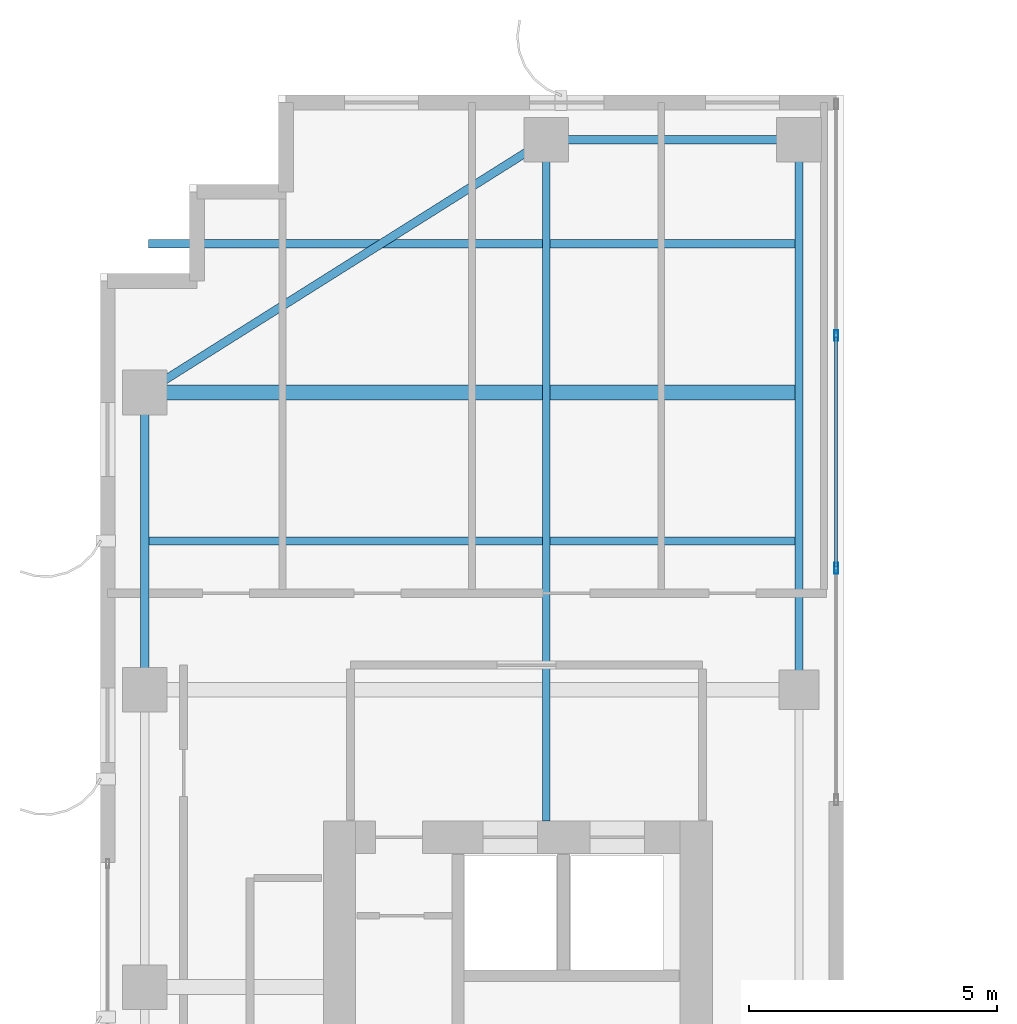
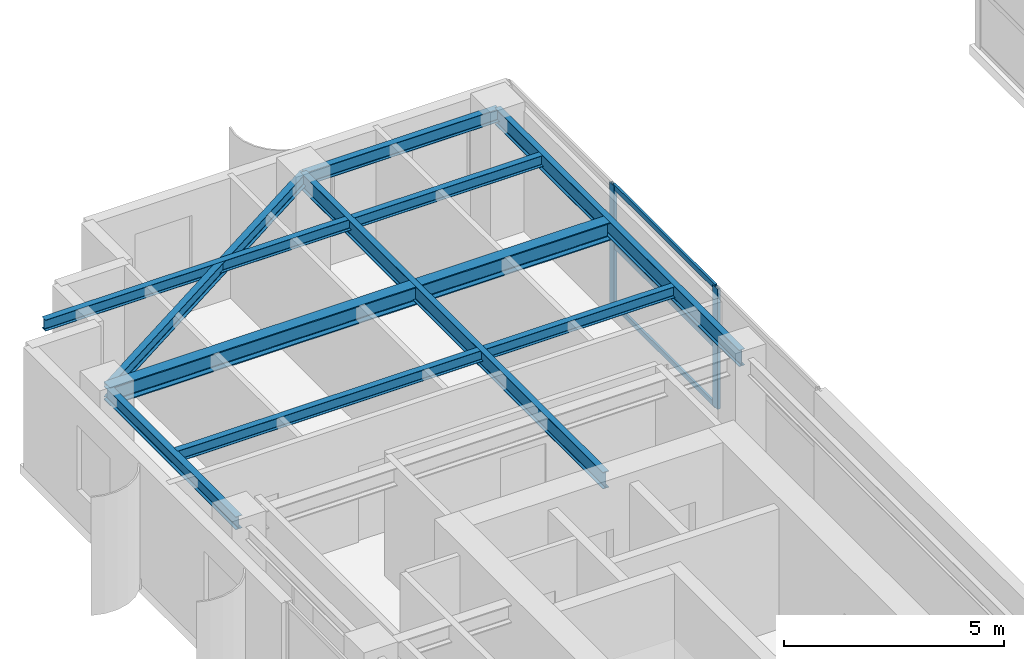
# One storey, part 13 of 22: 8 beams, 5 members, 1 element without a shape of its own.
"""IFC4 building model written with IfcOpenShell, lengths in metres."""

from ifc_helpers import new_model, si_unit, direction, frame, origin, origin_2d, place, context, subcontext, project, spatial, hollow_rectangle, i_section, extrude, source, transform, mapped, material, layer, layer_set, material_profile, profile_set, type_object, element, aggregate, save


model = new_model("IFC4")

# Units and contexts
model_context = context("Model", 3, precision=1e-05, world=origin(), true_north=direction((0.0, 1.0)))
body_context = subcontext(model_context, "Body", "Model", "MODEL_VIEW")
ifc_project = project(units=[si_unit("LENGTHUNIT", "METRE"), si_unit("AREAUNIT", "SQUARE_METRE"), si_unit("VOLUMEUNIT", "CUBIC_METRE"), si_unit("PLANEANGLEUNIT", "RADIAN"), si_unit("MASSUNIT", "GRAM", prefix="KILO")], contexts=[model_context])

# Site, building, storey
site_placement = place(None, origin())
site = spatial("IfcSite", under=ifc_project, at=site_placement, CompositionType="ELEMENT")
building_placement = place(site_placement, origin())
building = spatial("IfcBuilding", under=site, at=building_placement, Name="Khoralis Quay Care Tower", CompositionType="ELEMENT")
storey_placement = place(building_placement, frame((0.0, 0.0, 202.5)))
storey = spatial("IfcBuildingStorey", under=building, at=storey_placement, Name="L53", CompositionType="ELEMENT", Elevation=202.5)

# Beams
ifc_material_1 = material(Name="Steel S355", Category="steel")
ifc_material_profile_1 = material_profile(ifc_material_1, i_section(OverallWidth=0.169921875, OverallDepth=0.360107421875, WebThickness=0.008056640625, FlangeThickness=0.0126953125, FilletRadius=0.01806640625, at=origin_2d()), Name="Steel S355")
ifc_profile_set_1 = profile_set([ifc_material_profile_1], Name="Steel S355")
beam_type_1 = type_object("IfcBeamType", Name="BM-IPE360", PredefinedType="SPANDREL", material=ifc_profile_set_1)
shared_shape_1 = source(origin(), body_context, "Body", "SweptSolid", [
    extrude(i_section(OverallWidth=0.169921875, OverallDepth=0.360107421875, WebThickness=0.008056640625, FlangeThickness=0.0126953125, FilletRadius=0.01806640625, at=origin_2d()), origin(), (0.0, 0.0, 1.0), 5.10009765625),
])
beam_1_placement = place(storey_placement, frame((12.0, 41.10009765625, 3.159912109375), z_axis=(1.0, 0.0, 0.0), x_axis=(0.0, 1.0, 0.0)))
element("IfcBeam", 1, at=beam_1_placement, inside=storey, type_object=beam_type_1, Name="BM-TSP-L53-03", PredefinedType="SPANDREL", context=body_context, shape_type="MappedRepresentation", body=[
    mapped(shared_shape_1, transform((0.0, 0.0, 0.0), scale=1.0)),
])
shared_shape_2 = source(origin(), body_context, "Body", "SweptSolid", [
    extrude(i_section(OverallWidth=0.169921875, OverallDepth=0.360107421875, WebThickness=0.008056640625, FlangeThickness=0.0126953125, FilletRadius=0.01806640625, at=origin_2d()), origin(), (0.0, 0.0, 1.0), 6.0),
])
beam_2_placement = place(storey_placement, frame((3.89990234375, 30.0, 3.159912109375), z_axis=(0.0, 1.0, 0.0), x_axis=(-1.0, 0.0, 0.0)))
element("IfcBeam", 2, at=beam_2_placement, inside=storey, type_object=beam_type_1, Name="BM-TSP-L53-09", PredefinedType="SPANDREL", context=body_context, shape_type="MappedRepresentation", body=[
    mapped(shared_shape_2, transform((0.0, 0.0, 0.0), scale=1.0)),
])
shared_shape_3 = source(origin(), body_context, "Body", "SweptSolid", [
    extrude(i_section(OverallWidth=0.169921875, OverallDepth=0.360107421875, WebThickness=0.008056640625, FlangeThickness=0.0126953125, FilletRadius=0.01806640625, at=origin_2d()), origin(), (0.0, 0.0, 1.0), 9.572021484375),
])
beam_3_placement = place(storey_placement, frame((12.0, 41.10009765625, 3.159912109375), z_axis=(-0.846231136359, -0.532815975602, 0.0), x_axis=(0.532815975602, -0.846231136359, 0.0)))
element("IfcBeam", 3, at=beam_3_placement, inside=storey, type_object=beam_type_1, Name="BM-TCR-L53-17", PredefinedType="SPANDREL", context=body_context, shape_type="MappedRepresentation", body=[
    mapped(shared_shape_3, transform((0.0, 0.0, 0.0), scale=1.0)),
])
ifc_material_profile_2 = material_profile(ifc_material_1, i_section(OverallWidth=0.300048828125, OverallDepth=0.5, WebThickness=0.014404296875, FlangeThickness=0.028076171875, FilletRadius=0.027099609375, at=origin_2d()), Name="Steel S355")
ifc_profile_set_2 = profile_set([ifc_material_profile_2], Name="Steel S355")
beam_type_2 = type_object("IfcBeamType", Name="BM-HEB500", PredefinedType="BEAM", material=ifc_profile_set_2)
shared_shape_4 = source(origin(), body_context, "Body", "SweptSolid", [
    extrude(i_section(OverallWidth=0.300048828125, OverallDepth=0.5, WebThickness=0.014404296875, FlangeThickness=0.028076171875, FilletRadius=0.027099609375, at=origin_2d()), origin(), (0.0, 0.0, 1.0), 13.135009765625),
])
beam_4_placement = place(storey_placement, frame((3.89990234375, 36.0, 3.090087890625), z_axis=(1.0, 0.0, 0.0), x_axis=(0.0, 1.0, 0.0)))
element("IfcBeam", 4, at=beam_4_placement, inside=storey, type_object=beam_type_2, Name="BM-TGXW-L53-360", PredefinedType="BEAM", context=body_context, shape_type="MappedRepresentation", body=[
    mapped(shared_shape_4, transform((0.0, 0.0, 0.0), scale=1.0)),
])
ifc_material_profile_3 = material_profile(ifc_material_1, i_section(OverallWidth=0.154052734375, OverallDepth=0.458984375, WebThickness=0.009033203125, FlangeThickness=0.015380859375, FilletRadius=0.014892578125, at=origin_2d()), Name="Steel S355")
ifc_profile_set_3 = profile_set([ifc_material_profile_3], Name="Steel S355")
beam_type_3 = type_object("IfcBeamType", Name="BM-W460X68", PredefinedType="BEAM", material=ifc_profile_set_3)
shared_shape_5 = source(origin(), body_context, "Body", "SweptSolid", [
    extrude(i_section(OverallWidth=0.154052734375, OverallDepth=0.458984375, WebThickness=0.009033203125, FlangeThickness=0.015380859375, FilletRadius=0.014892578125, at=origin_2d()), origin(), (0.0, 0.0, 1.0), 11.10009765625),
])
beam_5_placement = place(storey_placement, frame((17.10009765625, 30.0, 3.110595703125), z_axis=(0.0, 1.0, 0.0), x_axis=(-1.0, 0.0, 0.0)))
element("IfcBeam", 5, at=beam_5_placement, inside=storey, type_object=beam_type_3, Name="BM-TGYN-L53-171", PredefinedType="BEAM", context=body_context, shape_type="MappedRepresentation", body=[
    mapped(shared_shape_5, transform((0.0, 0.0, 0.0), scale=1.0)),
])
shared_shape_6 = source(origin(), body_context, "Body", "SweptSolid", [
    extrude(i_section(OverallWidth=0.154052734375, OverallDepth=0.458984375, WebThickness=0.009033203125, FlangeThickness=0.015380859375, FilletRadius=0.014892578125, at=origin_2d()), origin(), (0.0, 0.0, 1.0), 13.752197265625),
])
beam_6_placement = place(storey_placement, frame((12.0, 27.347900390625, 3.110595703125), z_axis=(0.0, 1.0, 0.0), x_axis=(-1.0, 0.0, 0.0)))
element("IfcBeam", 6, at=beam_6_placement, inside=storey, type_object=beam_type_3, Name="BM-TGYN-L53-120", PredefinedType="BEAM", context=body_context, shape_type="MappedRepresentation", body=[
    mapped(shared_shape_6, transform((0.0, 0.0, 0.0), scale=1.0)),
])
ifc_material_profile_4 = material_profile(ifc_material_1, i_section(OverallWidth=0.1650390625, OverallDepth=0.31005859375, WebThickness=0.005859375, FlangeThickness=0.009765625, FilletRadius=0.011962890625, at=origin_2d()), Name="Steel S355")
ifc_profile_set_4 = profile_set([ifc_material_profile_4], Name="Steel S355")
beam_type_4 = type_object("IfcBeamType", Name="BM-W310X39", PredefinedType="JOIST", material=ifc_profile_set_4)
shared_shape_7 = source(origin(), body_context, "Body", "SweptSolid", [
    extrude(i_section(OverallWidth=0.1650390625, OverallDepth=0.31005859375, WebThickness=0.005859375, FlangeThickness=0.009765625, FilletRadius=0.011962890625, at=origin_2d()), origin(), (0.0, 0.0, 1.0), 13.06396484375),
])
for number, where, z_axis, x_axis, name in (
    (7, (3.970947265625, 33.0, 3.18505859375), (1.0, 0.0, 0.0), (0.0, 1.0, 0.0), "BM-TJS-L53-21"),
    (8, (3.970947265625, 39.0, 3.18505859375), (1.0, 0.0, 0.0), (0.0, 1.0, 0.0), "BM-TJS-L53-23"),
):
    element("IfcBeam", number, at=place(storey_placement, frame(where, z_axis=z_axis, x_axis=x_axis)), inside=storey, type_object=beam_type_4, Name=name, PredefinedType="JOIST", context=body_context, shape_type="MappedRepresentation", body=[
        mapped(shared_shape_7, transform((0.0, 0.0, 0.0), scale=1.0)),
    ])

# Curtain wall, members
ifc_material_2 = material(Name="Pale anodised aluminium", Category="aluminium")
ifc_layer = layer(ifc_material_2, 0.18994140625)
ifc_layer_set = layer_set([ifc_layer], Name="Pale anodised aluminium")
curtain_wall_type = type_object("IfcCurtainWallType", Name="CW-SYS-PORTAL", PredefinedType="NOTDEFINED", material=ifc_layer_set)
curtain_wall_placement = place(storey_placement, origin())
curtain_wall = element("IfcCurtainWall", 9, at=curtain_wall_placement, inside=storey, type_object=curtain_wall_type, Name="L53 Unitised Curtain Wall CW-VP-L53-P1-N", PredefinedType="NOTDEFINED")
ifc_material_profile_5 = material_profile(ifc_material_2, hollow_rectangle(XDim=0.074951171875, YDim=0.219970703125, WallThickness=0.00390625, at=origin_2d()), Name="Pale anodised aluminium")
ifc_profile_set_5 = profile_set([ifc_material_profile_5], Name="Pale anodised aluminium")
member_type_1 = type_object("IfcMemberType", Name="CW-MUL-220", PredefinedType="MULLION", material=ifc_profile_set_5)
shared_shape_8 = source(origin(), body_context, "Body", "SweptSolid", [
    extrude(hollow_rectangle(XDim=0.074951171875, YDim=0.219970703125, WallThickness=0.00390625, at=origin_2d()), origin(), (0.0, 0.0, 1.0), 3.340087890625),
])
member_1_placement = place(storey_placement, frame((17.85009765625, 32.449951171875, 0.0), z_axis=(0.0, 0.0, 1.0), x_axis=(-1.0, 0.0, 0.0)))
member_1 = element("IfcMember", 10, at=member_1_placement, type_object=member_type_1, Name="CW4 mullion 2", PredefinedType="MULLION", context=body_context, shape_type="MappedRepresentation", body=[
    mapped(shared_shape_8, transform((0.0, 0.0, 0.0), scale=1.0)),
])
member_2_placement = place(storey_placement, frame((17.85009765625, 37.14990234375, 0.0), z_axis=(0.0, 0.0, 1.0), x_axis=(-1.0, 0.0, 0.0)))
member_2 = element("IfcMember", 11, at=member_2_placement, type_object=member_type_1, Name="CW4 mullion 3", PredefinedType="MULLION", context=body_context, shape_type="MappedRepresentation", body=[
    mapped(shared_shape_8, transform((0.0, 0.0, 0.0), scale=1.0)),
])
ifc_material_profile_6 = material_profile(ifc_material_2, hollow_rectangle(XDim=0.06005859375, YDim=0.139892578125, WallThickness=0.00390625, at=origin_2d()), Name="Pale anodised aluminium")
ifc_profile_set_6 = profile_set([ifc_material_profile_6], Name="Pale anodised aluminium")
member_type_2 = type_object("IfcMemberType", Name="CW-TRN-140", PredefinedType="USERDEFINED", material=ifc_profile_set_6)
shared_shape_9 = source(origin(), body_context, "Body", "SweptSolid", [
    extrude(hollow_rectangle(XDim=0.06005859375, YDim=0.139892578125, WallThickness=0.00390625, at=origin_2d()), origin(), (0.0, 0.0, 1.0), 4.64013671875),
])
member_3_placement = place(storey_placement, frame((17.85009765625, 32.47998046875, 0.030029296875), z_axis=(0.0, 1.0, 0.0), x_axis=(-1.0, 0.0, 0.0)))
member_3 = element("IfcMember", 12, at=member_3_placement, type_object=member_type_2, Name="CW4 transom 2.1", ObjectType="TRANSOM", PredefinedType="USERDEFINED", context=body_context, shape_type="MappedRepresentation", body=[
    mapped(shared_shape_9, transform((0.0, 0.0, 0.0), scale=1.0)),
])
member_4_placement = place(storey_placement, frame((17.85009765625, 32.47998046875, 1.669921875), z_axis=(0.0, 1.0, 0.0), x_axis=(-1.0, 0.0, 0.0)))
member_4 = element("IfcMember", 13, at=member_4_placement, type_object=member_type_2, Name="CW4 transom 2.2", ObjectType="TRANSOM", PredefinedType="USERDEFINED", context=body_context, shape_type="MappedRepresentation", body=[
    mapped(shared_shape_9, transform((0.0, 0.0, 0.0), scale=1.0)),
])
member_5_placement = place(storey_placement, frame((17.85009765625, 32.47998046875, 3.31005859375), z_axis=(0.0, 1.0, 0.0), x_axis=(-1.0, 0.0, 0.0)))
member_5 = element("IfcMember", 14, at=member_5_placement, type_object=member_type_2, Name="CW4 transom 2.3", ObjectType="TRANSOM", PredefinedType="USERDEFINED", context=body_context, shape_type="MappedRepresentation", body=[
    mapped(shared_shape_9, transform((0.0, 0.0, 0.0), scale=1.0)),
])
aggregate(curtain_wall, [member_1, member_2, member_3, member_4, member_5])

save(model, "model.ifc")
